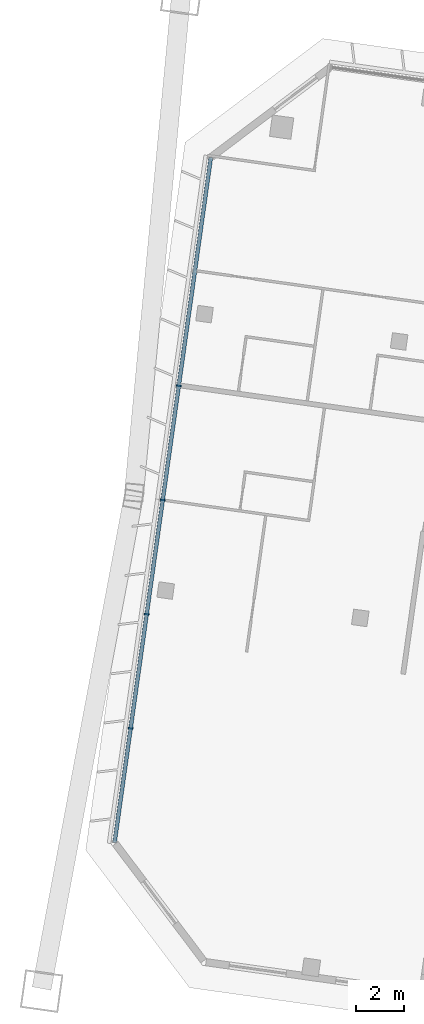
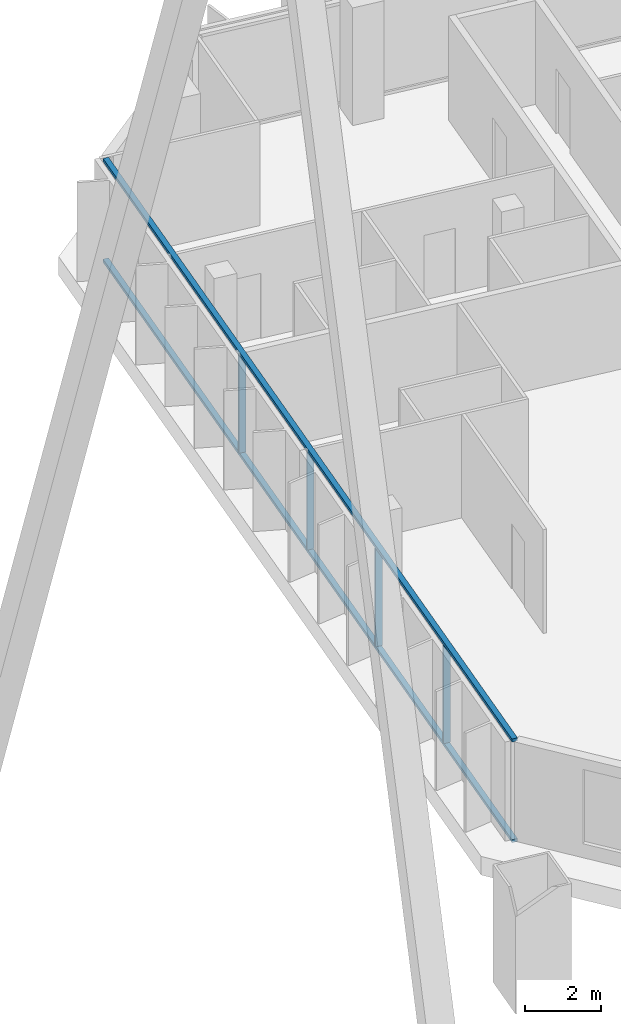
# One storey, part 4 of 33: 6 members, 1 element without a shape of its own.
"""IFC4 building model written with IfcOpenShell, lengths in metres."""

from ifc_helpers import new_model, si_unit, direction, frame, origin, origin_2d, place, context, subcontext, project, spatial, rectangle, extrude, material, material_profile, profile_set, type_object, element, aggregate, save


model = new_model("IFC4")

# Units and contexts
model_context = context("Model", 3, precision=1e-05, world=origin(), true_north=direction((0.0, 1.0)))
body_context = subcontext(model_context, "Body", "Model", "MODEL_VIEW")
ifc_project = project(units=[si_unit("LENGTHUNIT", "METRE"), si_unit("AREAUNIT", "SQUARE_METRE"), si_unit("VOLUMEUNIT", "CUBIC_METRE"), si_unit("PLANEANGLEUNIT", "RADIAN"), si_unit("MASSUNIT", "GRAM", prefix="KILO")], contexts=[model_context])

# Site, building, storey
site_placement = place(None, origin())
site = spatial("IfcSite", under=ifc_project, at=site_placement, CompositionType="ELEMENT")
building_placement = place(site_placement, origin())
building = spatial("IfcBuilding", under=site, at=building_placement, Name="Mirante Cascada Hotel Towers", CompositionType="ELEMENT")
storey_placement = place(building_placement, frame((0.0, 0.0, 121.5)))
storey = spatial("IfcBuildingStorey", under=building, at=storey_placement, Name="L27", CompositionType="ELEMENT", Elevation=121.5)

# Curtain wall, members
ifc_material_1 = material(Name="Aluminium mullion and transom frame with clear laminated glass", Category="aluminium")
curtain_wall_type = type_object("IfcCurtainWallType", Name="End ribbon curtain wall ECW2", PredefinedType="NOTDEFINED", material=ifc_material_1)
curtain_wall_placement = place(storey_placement, origin())
curtain_wall = element("IfcCurtainWall", 1, at=curtain_wall_placement, inside=storey, type_object=curtain_wall_type, Name="Outer end wall T1 L27", PredefinedType="NOTDEFINED")
ifc_material_2 = material(Name="Anodised aluminium extrusion", Category="aluminium")
ifc_material_profile_1 = material_profile(ifc_material_2, rectangle(XDim=0.2, YDim=0.065, at=origin_2d()), Name="ECW2 MULLION 65x200")
ifc_profile_set_1 = profile_set([ifc_material_profile_1], Name="Anodised aluminium extrusion")
member_type_1 = type_object("IfcMemberType", Name="ECW2 mullion 65x200", PredefinedType="MULLION", material=ifc_profile_set_1)
member_1_placement = place(storey_placement, frame((-102.4903, -1.532, 0.1), z_axis=(0.0, 0.0, 1.0), x_axis=(-0.9902681, 0.1391731, 0.0)))
member_1 = element("IfcMember", 2, at=member_1_placement, type_object=member_type_1, Name="ECW2 mullion 2", PredefinedType="MULLION", context=body_context, shape_type="SweptSolid", body=[
    extrude(rectangle(XDim=0.2, YDim=0.065, at=origin_2d()), origin(), (0.0, 0.0, 1.0), 3.15),
])
member_2_placement = place(storey_placement, frame((-101.8205, 3.2338, 0.1), z_axis=(0.0, 0.0, 1.0), x_axis=(-0.9902681, 0.1391731, 0.0)))
member_2 = element("IfcMember", 3, at=member_2_placement, type_object=member_type_1, Name="ECW2 mullion 3", PredefinedType="MULLION", context=body_context, shape_type="SweptSolid", body=[
    extrude(rectangle(XDim=0.2, YDim=0.065, at=origin_2d()), origin(), (0.0, 0.0, 1.0), 3.15),
])
member_3_placement = place(storey_placement, frame((-101.1508, 7.9996, 0.1), z_axis=(0.0, 0.0, 1.0), x_axis=(-0.9902681, 0.1391731, 0.0)))
member_3 = element("IfcMember", 4, at=member_3_placement, type_object=member_type_1, Name="ECW2 mullion 4", PredefinedType="MULLION", context=body_context, shape_type="SweptSolid", body=[
    extrude(rectangle(XDim=0.2, YDim=0.065, at=origin_2d()), origin(), (0.0, 0.0, 1.0), 3.15),
])
member_4_placement = place(storey_placement, frame((-100.481, 12.7654, 0.1), z_axis=(0.0, 0.0, 1.0), x_axis=(-0.9902681, 0.1391731, 0.0)))
member_4 = element("IfcMember", 5, at=member_4_placement, type_object=member_type_1, Name="ECW2 mullion 5", PredefinedType="MULLION", context=body_context, shape_type="SweptSolid", body=[
    extrude(rectangle(XDim=0.2, YDim=0.065, at=origin_2d()), origin(), (0.0, 0.0, 1.0), 3.15),
])
ifc_material_3 = material(Name="Anodised aluminium extrusion", Category="aluminium")
ifc_material_profile_2 = material_profile(ifc_material_3, rectangle(XDim=0.16, YDim=0.1, at=origin_2d()), Name="ECW2 TRANSOM 100x160")
ifc_profile_set_2 = profile_set([ifc_material_profile_2], Name="Anodised aluminium extrusion")
member_type_2 = type_object("IfcMemberType", Name="ECW2 transom 100x160", PredefinedType="USERDEFINED", material=ifc_profile_set_2)
member_5_placement = place(storey_placement, frame((-103.1601, -6.2978, 0.05), z_axis=(0.1391723, 0.9902682, 0.0), x_axis=(-0.9902682, 0.1391723, 0.0)))
member_5 = element("IfcMember", 6, at=member_5_placement, type_object=member_type_2, Name="ECW2 sill transom", ObjectType="TRANSOM", PredefinedType="USERDEFINED", context=body_context, shape_type="SweptSolid", body=[
    extrude(rectangle(XDim=0.16, YDim=0.1, at=origin_2d()), origin(), (0.0, 0.0, 1.0), 28.8757),
])
member_6_placement = place(storey_placement, frame((-103.1601, -6.2978, 3.3), z_axis=(0.1391723, 0.9902682, 0.0), x_axis=(-0.9902682, 0.1391723, 0.0)))
member_6 = element("IfcMember", 7, at=member_6_placement, type_object=member_type_2, Name="ECW2 head transom", ObjectType="TRANSOM", PredefinedType="USERDEFINED", context=body_context, shape_type="SweptSolid", body=[
    extrude(rectangle(XDim=0.16, YDim=0.1, at=origin_2d()), origin(), (0.0, 0.0, 1.0), 28.8757),
])
aggregate(curtain_wall, [member_5, member_6, member_1, member_2, member_3, member_4])

save(model, "model.ifc")
